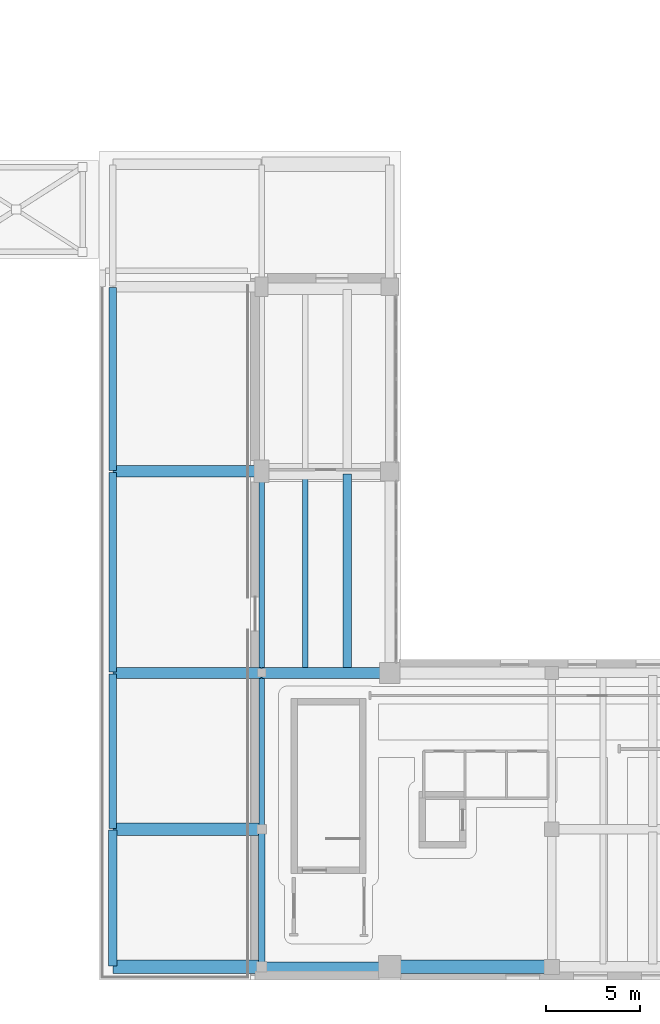
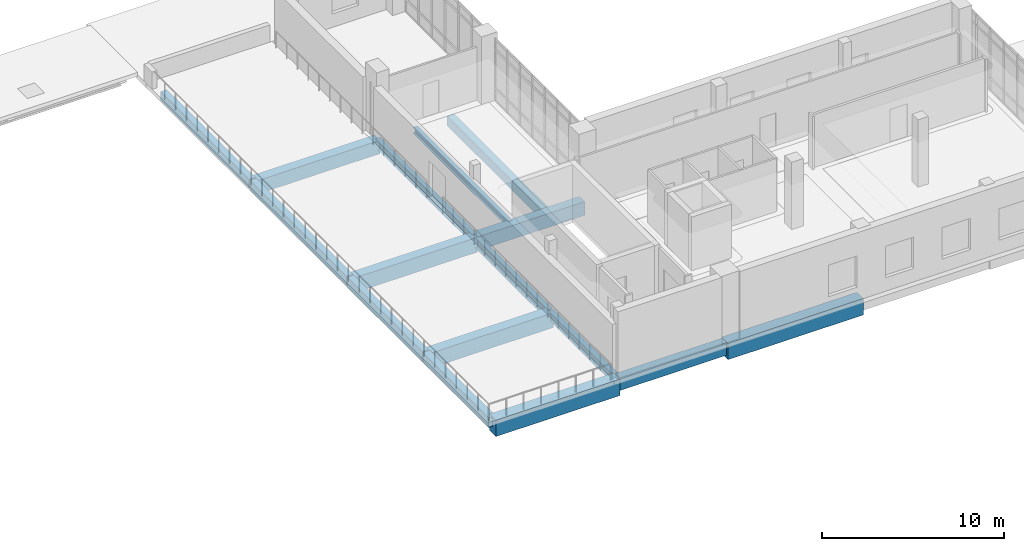
# One storey, part 12 of 75: 16 beams.
"""IFC4 building model written with IfcOpenShell, lengths in metres."""

from ifc_helpers import new_model, si_unit, direction, frame, origin, origin_2d, place, context, subcontext, project, spatial, rectangle, i_section, extrude, material, material_profile, profile_set, type_object, element, save


model = new_model("IFC4")

# Units and contexts
model_context = context("Model", 3, precision=1e-05, world=origin(), true_north=direction((0.0, 1.0)))
body_context = subcontext(model_context, "Body", "Model", "MODEL_VIEW")
ifc_project = project(units=[si_unit("LENGTHUNIT", "METRE"), si_unit("AREAUNIT", "SQUARE_METRE"), si_unit("VOLUMEUNIT", "CUBIC_METRE"), si_unit("PLANEANGLEUNIT", "RADIAN"), si_unit("MASSUNIT", "GRAM", prefix="KILO")], contexts=[model_context])

# Site, building, storey
site_placement = place(None, origin())
site = spatial("IfcSite", under=ifc_project, at=site_placement, CompositionType="ELEMENT")
building_placement = place(site_placement, origin())
building = spatial("IfcBuilding", under=site, at=building_placement, Name="Soyqirgoq Riverine Aquarium", CompositionType="ELEMENT")
storey_placement = place(building_placement, frame((0.0, 0.0, 10.199951171875)))
storey = spatial("IfcBuildingStorey", under=building, at=storey_placement, Name="L03", CompositionType="ELEMENT", Elevation=10.199951171875)

# Beams
ifc_material_1 = material(Name="Concrete C40/50", Category="concrete")
ifc_material_profile_1 = material_profile(ifc_material_1, rectangle(XDim=0.39990234375, YDim=0.60009765625, at=origin_2d()), Name="RC 400x600")
ifc_profile_set_1 = profile_set([ifc_material_profile_1], Name="Concrete C40/50")
beam_type_1 = type_object("IfcBeamType", Name="Beam_RC_400x600", PredefinedType="JOIST", material=ifc_profile_set_1)
beam_1_placement = place(storey_placement, frame((114.699951171875, 28.550048828125, -0.579833984375), z_axis=(0.0, 1.0, 0.0), x_axis=(-1.0, 0.0, 0.0)))
element("IfcBeam", 1, at=beam_1_placement, inside=storey, type_object=beam_type_1, Name="V6 L03 North-South Frame Beam 1160", PredefinedType="JOIST", context=body_context, shape_type="SweptSolid", body=[
    extrude(rectangle(XDim=0.39990234375, YDim=0.60009765625, at=origin_2d()), origin(), (0.0, 0.0, 1.0), 9.699951171875),
])
ifc_material_2 = material(Name="Concrete C40/50", Category="concrete")
ifc_material_profile_2 = material_profile(ifc_material_2, rectangle(XDim=0.39990234375, YDim=0.64990234375, at=origin_2d()), Name="RC 400x650")
ifc_profile_set_2 = profile_set([ifc_material_profile_2], Name="Concrete C40/50")
beam_type_2 = type_object("IfcBeamType", Name="Beam_RC_400x650", PredefinedType="BEAM", material=ifc_profile_set_2)
beam_2_placement = place(storey_placement, frame((114.699951171875, 17.85009765625, -0.60498046875), z_axis=(0.0, 1.0, 0.0), x_axis=(-1.0, 0.0, 0.0)))
element("IfcBeam", 2, at=beam_2_placement, inside=storey, type_object=beam_type_2, Name="V6 L03 North-South Frame Beam 1158", PredefinedType="BEAM", context=body_context, shape_type="SweptSolid", body=[
    extrude(rectangle(XDim=0.39990234375, YDim=0.64990234375, at=origin_2d()), origin(), (0.0, 0.0, 1.0), 10.599853515625),
])
ifc_material_3 = material(Name="Concrete C40/50", Category="concrete")
ifc_material_profile_3 = material_profile(ifc_material_3, rectangle(XDim=0.39990234375, YDim=0.699951171875, at=origin_2d()), Name="RC 400x700")
ifc_profile_set_3 = profile_set([ifc_material_profile_3], Name="Concrete C40/50")
beam_type_3 = type_object("IfcBeamType", Name="Beam_RC_400x700", PredefinedType="BEAM", material=ifc_profile_set_3)
beam_3_placement = place(storey_placement, frame((114.699951171875, 9.550048828125, -0.6298828125), z_axis=(0.0, 1.0, 0.0), x_axis=(-1.0, 0.0, 0.0)))
element("IfcBeam", 3, at=beam_3_placement, inside=storey, type_object=beam_type_3, Name="V6 L03 North-South Frame Beam 1156", PredefinedType="BEAM", context=body_context, shape_type="SweptSolid", body=[
    extrude(rectangle(XDim=0.39990234375, YDim=0.699951171875, at=origin_2d()), origin(), (0.0, 0.0, 1.0), 8.199951171875),
])
ifc_material_4 = material(Name="Concrete C40/50", Category="concrete")
ifc_material_profile_4 = material_profile(ifc_material_4, rectangle(XDim=0.449951171875, YDim=0.64990234375, at=origin_2d()), Name="RC 450x650")
ifc_profile_set_4 = profile_set([ifc_material_profile_4], Name="Concrete C40/50")
beam_type_4 = type_object("IfcBeamType", Name="Beam_RC_450x650", PredefinedType="BEAM", material=ifc_profile_set_4)
beam_4_placement = place(storey_placement, frame((114.699951171875, 2.25, -0.60498046875), z_axis=(0.0, 1.0, 0.0), x_axis=(-1.0, 0.0, 0.0)))
element("IfcBeam", 4, at=beam_4_placement, inside=storey, type_object=beam_type_4, Name="V6 L03 North-South Frame Beam 1154", PredefinedType="BEAM", context=body_context, shape_type="SweptSolid", body=[
    extrude(rectangle(XDim=0.449951171875, YDim=0.64990234375, at=origin_2d()), origin(), (0.0, 0.0, 1.0), 7.199951171875),
])
beam_5_placement = place(storey_placement, frame((127.156005859375, 17.93994140625, -0.60498046875), z_axis=(0.0, 1.0, 0.0), x_axis=(-1.0, 0.0, 0.0)))
element("IfcBeam", 5, at=beam_5_placement, inside=storey, type_object=beam_type_4, Name="V6 L03 Secondary Bay Joist 1206", PredefinedType="BEAM", context=body_context, shape_type="SweptSolid", body=[
    extrude(rectangle(XDim=0.449951171875, YDim=0.64990234375, at=origin_2d()), origin(), (0.0, 0.0, 1.0), 10.420166015625),
])
ifc_material_5 = material(Name="Concrete C40/50", Category="concrete")
ifc_material_profile_5 = material_profile(ifc_material_5, rectangle(XDim=0.5, YDim=0.85009765625, at=origin_2d()), Name="RC 500x850")
ifc_profile_set_5 = profile_set([ifc_material_profile_5], Name="Concrete C40/50")
beam_type_5 = type_object("IfcBeamType", Name="Girder_RC_500x850", PredefinedType="BEAM", material=ifc_profile_set_5)
beam_6_placement = place(storey_placement, frame((122.6201171875, 2.199951171875, -0.704833984375), z_axis=(1.0, 0.0, 0.0), x_axis=(0.0, 1.0, 0.0)))
element("IfcBeam", 6, at=beam_6_placement, inside=storey, type_object=beam_type_5, Name="V6 L03 East-West Frame Girder 1166", PredefinedType="BEAM", context=body_context, shape_type="SweptSolid", body=[
    extrude(rectangle(XDim=0.5, YDim=0.85009765625, at=origin_2d()), origin(), (0.0, 0.0, 1.0), 6.759765625),
])
ifc_material_6 = material(Name="Concrete C40/50", Category="concrete")
ifc_material_profile_6 = material_profile(ifc_material_6, rectangle(XDim=0.580078125, YDim=0.919921875, at=origin_2d()), Name="RC 580x920")
ifc_profile_set_6 = profile_set([ifc_material_profile_6], Name="Concrete C40/50")
beam_type_6 = type_object("IfcBeamType", Name="Girder_RC_580x920", PredefinedType="BEAM", material=ifc_profile_set_6)
beam_7_placement = place(storey_placement, frame((122.6201171875, 17.800048828125, -0.739990234375), z_axis=(1.0, 0.0, 0.0), x_axis=(0.0, 1.0, 0.0)))
element("IfcBeam", 7, at=beam_7_placement, inside=storey, type_object=beam_type_6, Name="V6 L03 East-West Frame Girder 1169", PredefinedType="BEAM", context=body_context, shape_type="SweptSolid", body=[
    extrude(rectangle(XDim=0.580078125, YDim=0.919921875, at=origin_2d()), origin(), (0.0, 0.0, 1.0), 6.759765625),
])
ifc_material_7 = material(Name="Concrete C40/50", Category="concrete")
ifc_material_profile_7 = material_profile(ifc_material_7, rectangle(XDim=0.60009765625, YDim=1.0, at=origin_2d()), Name="RC 600x1000")
ifc_profile_set_7 = profile_set([ifc_material_profile_7], Name="Concrete C40/50")
beam_type_7 = type_object("IfcBeamType", Name="Girder_RC_600x1000", PredefinedType="BEAM", material=ifc_profile_set_7)
beam_8_placement = place(storey_placement, frame((114.719970703125, 17.800048828125, -0.780029296875), z_axis=(1.0, 0.0, 0.0), x_axis=(0.0, 1.0, 0.0)))
element("IfcBeam", 8, at=beam_8_placement, inside=storey, type_object=beam_type_7, Name="V6 L03 East-West Frame Girder 1159", PredefinedType="BEAM", context=body_context, shape_type="SweptSolid", body=[
    extrude(rectangle(XDim=0.60009765625, YDim=1.0, at=origin_2d()), origin(), (0.0, 0.0, 1.0), 7.860107421875),
])
ifc_material_8 = material(Name="Concrete C40/50", Category="concrete")
ifc_material_profile_8 = material_profile(ifc_material_8, rectangle(XDim=0.60009765625, YDim=0.89990234375, at=origin_2d()), Name="RC 600x900")
ifc_profile_set_8 = profile_set([ifc_material_profile_8], Name="Concrete C40/50")
beam_type_8 = type_object("IfcBeamType", Name="Girder_RC_600x900", PredefinedType="BEAM", material=ifc_profile_set_8)
beam_9_placement = place(storey_placement, frame((114.719970703125, 28.5, -0.72998046875), z_axis=(1.0, 0.0, 0.0), x_axis=(0.0, 1.0, 0.0)))
element("IfcBeam", 9, at=beam_9_placement, inside=storey, type_object=beam_type_8, Name="V6 L03 East-West Frame Girder 1161", PredefinedType="BEAM", context=body_context, shape_type="SweptSolid", body=[
    extrude(rectangle(XDim=0.60009765625, YDim=0.89990234375, at=origin_2d()), origin(), (0.0, 0.0, 1.0), 7.860107421875),
])
ifc_material_9 = material(Name="Concrete C40/50", Category="concrete")
ifc_material_profile_9 = material_profile(ifc_material_9, rectangle(XDim=0.64990234375, YDim=1.0, at=origin_2d()), Name="RC 650x1000")
ifc_profile_set_9 = profile_set([ifc_material_profile_9], Name="Concrete C40/50")
beam_type_9 = type_object("IfcBeamType", Name="Girder_RC_650x1000", PredefinedType="BEAM", material=ifc_profile_set_9)
beam_10_placement = place(storey_placement, frame((114.719970703125, 9.5, -0.780029296875), z_axis=(1.0, 0.0, 0.0), x_axis=(0.0, 1.0, 0.0)))
element("IfcBeam", 10, at=beam_10_placement, inside=storey, type_object=beam_type_9, Name="V6 L03 East-West Frame Girder 1157", PredefinedType="BEAM", context=body_context, shape_type="SweptSolid", body=[
    extrude(rectangle(XDim=0.64990234375, YDim=1.0, at=origin_2d()), origin(), (0.0, 0.0, 1.0), 7.860107421875),
])
ifc_material_10 = material(Name="Concrete C40/50", Category="concrete")
ifc_material_profile_10 = material_profile(ifc_material_10, rectangle(XDim=0.699951171875, YDim=1.10009765625, at=origin_2d()), Name="RC 700x1100")
ifc_profile_set_10 = profile_set([ifc_material_profile_10], Name="Concrete C40/50")
beam_type_10 = type_object("IfcBeamType", Name="Girder_RC_700x1100", PredefinedType="BEAM", material=ifc_profile_set_10)
beam_11_placement = place(storey_placement, frame((114.719970703125, 2.199951171875, -0.829833984375), z_axis=(1.0, 0.0, 0.0), x_axis=(0.0, 1.0, 0.0)))
element("IfcBeam", 11, at=beam_11_placement, inside=storey, type_object=beam_type_10, Name="V6 L03 East-West Frame Girder 1155", PredefinedType="BEAM", context=body_context, shape_type="SweptSolid", body=[
    extrude(rectangle(XDim=0.699951171875, YDim=1.10009765625, at=origin_2d()), origin(), (0.0, 0.0, 1.0), 7.860107421875),
])
beam_12_placement = place(storey_placement, frame((129.419921875, 2.199951171875, -0.829833984375), z_axis=(1.0, 0.0, 0.0), x_axis=(0.0, 1.0, 0.0)))
element("IfcBeam", 12, at=beam_12_placement, inside=storey, type_object=beam_type_10, Name="V6 L03 East-West Frame Girder 1175", PredefinedType="BEAM", context=body_context, shape_type="SweptSolid", body=[
    extrude(rectangle(XDim=0.699951171875, YDim=1.10009765625, at=origin_2d()), origin(), (0.0, 0.0, 1.0), 8.56005859375),
])
ifc_material_11 = material(Name="Structural steel S355", Category="steel")
ifc_material_profile_11 = material_profile(ifc_material_11, i_section(OverallWidth=0.300048828125, OverallDepth=0.389892578125, WebThickness=0.010986328125, FlangeThickness=0.01904296875, FilletRadius=0.027099609375, at=origin_2d()), Name="HEA 400")
ifc_profile_set_11 = profile_set([ifc_material_profile_11], Name="Structural steel S355")
beam_type_11 = type_object("IfcBeamType", Name="SteelBeam_HEA400", PredefinedType="BEAM", material=ifc_profile_set_11)
beam_13_placement = place(storey_placement, frame((124.912109375, 17.93994140625, -0.474853515625), z_axis=(0.0, 1.0, 0.0), x_axis=(-1.0, 0.0, 0.0)))
element("IfcBeam", 13, at=beam_13_placement, inside=storey, type_object=beam_type_11, Name="V6 L03 Secondary Bay Joist 1205", PredefinedType="BEAM", context=body_context, shape_type="SweptSolid", body=[
    extrude(i_section(OverallWidth=0.300048828125, OverallDepth=0.389892578125, WebThickness=0.010986328125, FlangeThickness=0.01904296875, FilletRadius=0.027099609375, at=origin_2d()), origin(), (0.0, 0.0, 1.0), 10.420166015625),
])
ifc_material_12 = material(Name="Structural steel S355", Category="steel")
ifc_material_profile_12 = material_profile(ifc_material_12, i_section(OverallWidth=0.300048828125, OverallDepth=0.590087890625, WebThickness=0.012939453125, FlangeThickness=0.02490234375, FilletRadius=0.027099609375, at=origin_2d()), Name="HEA 600")
ifc_profile_set_12 = profile_set([ifc_material_profile_12], Name="Structural steel S355")
beam_type_12 = type_object("IfcBeamType", Name="SteelBeam_HEA600", PredefinedType="BEAM", material=ifc_profile_set_12)
beam_14_placement = place(storey_placement, frame((122.60009765625, 17.85009765625, -0.574951171875), z_axis=(0.0, 1.0, 0.0), x_axis=(-1.0, 0.0, 0.0)))
element("IfcBeam", 14, at=beam_14_placement, inside=storey, type_object=beam_type_12, Name="V6 L03 North-South Frame Beam 1168", PredefinedType="BEAM", context=body_context, shape_type="SweptSolid", body=[
    extrude(i_section(OverallWidth=0.300048828125, OverallDepth=0.590087890625, WebThickness=0.012939453125, FlangeThickness=0.02490234375, FilletRadius=0.027099609375, at=origin_2d()), origin(), (0.0, 0.0, 1.0), 10.599853515625),
])
ifc_material_13 = material(Name="Structural steel S355", Category="steel")
ifc_material_profile_13 = material_profile(ifc_material_13, i_section(OverallWidth=0.300048828125, OverallDepth=0.68994140625, WebThickness=0.014404296875, FlangeThickness=0.027099609375, FilletRadius=0.027099609375, at=origin_2d()), Name="HEA 700")
ifc_profile_set_13 = profile_set([ifc_material_profile_13], Name="Structural steel S355")
beam_type_13 = type_object("IfcBeamType", Name="SteelBeam_HEA700", PredefinedType="BEAM", material=ifc_profile_set_13)
beam_15_placement = place(storey_placement, frame((122.60009765625, 9.550048828125, -0.625), z_axis=(0.0, 1.0, 0.0), x_axis=(-1.0, 0.0, 0.0)))
element("IfcBeam", 15, at=beam_15_placement, inside=storey, type_object=beam_type_13, Name="V6 L03 North-South Frame Beam 1167", PredefinedType="BEAM", context=body_context, shape_type="SweptSolid", body=[
    extrude(i_section(OverallWidth=0.300048828125, OverallDepth=0.68994140625, WebThickness=0.014404296875, FlangeThickness=0.027099609375, FilletRadius=0.027099609375, at=origin_2d()), origin(), (0.0, 0.0, 1.0), 8.199951171875),
])
ifc_material_14 = material(Name="Concrete C40/50", Category="concrete")
ifc_material_profile_14 = material_profile(ifc_material_14, rectangle(XDim=0.35009765625, YDim=0.550048828125, at=origin_2d()), Name="RC 350x550")
ifc_profile_set_14 = profile_set([ifc_material_profile_14], Name="Concrete C40/50")
beam_type_14 = type_object("IfcBeamType", Name="TBeam_RC_350x550", PredefinedType="T_BEAM", material=ifc_profile_set_14)
beam_16_placement = place(storey_placement, frame((122.60009765625, 2.25, -0.554931640625), z_axis=(0.0, 1.0, 0.0), x_axis=(-1.0, 0.0, 0.0)))
element("IfcBeam", 16, at=beam_16_placement, inside=storey, type_object=beam_type_14, Name="V6 L03 North-South Frame Beam 1165", PredefinedType="T_BEAM", context=body_context, shape_type="SweptSolid", body=[
    extrude(rectangle(XDim=0.35009765625, YDim=0.550048828125, at=origin_2d()), origin(), (0.0, 0.0, 1.0), 7.199951171875),
])

save(model, "model.ifc")
